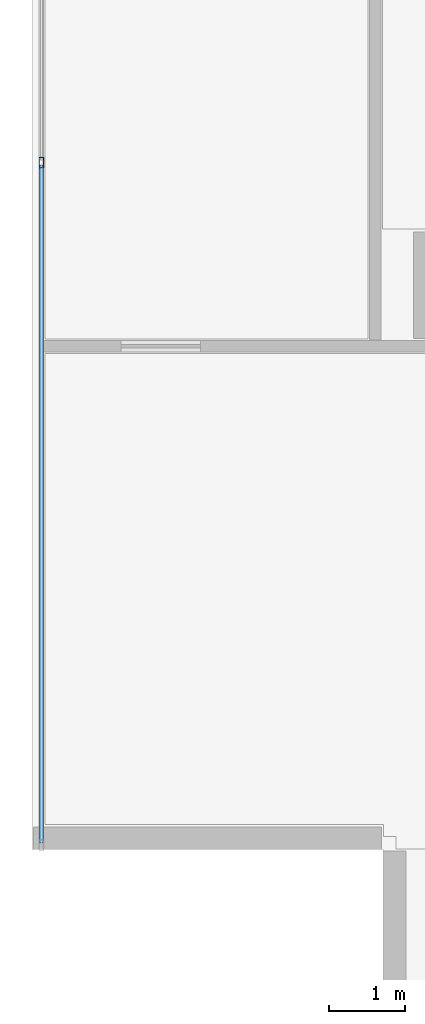
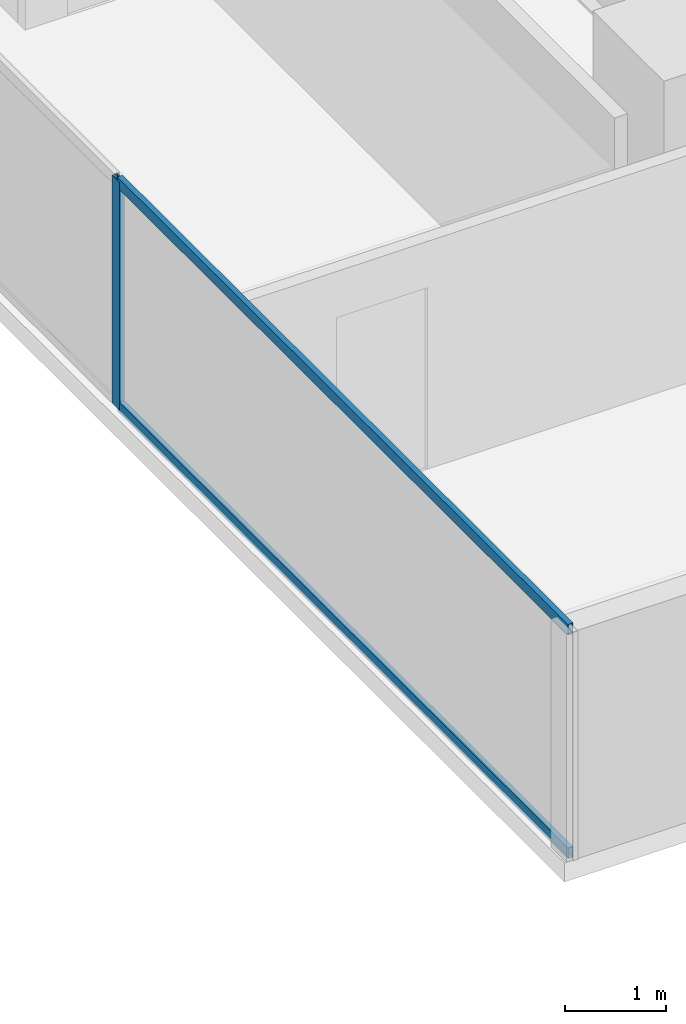
# One storey, part 4 of 26: 3 members, 1 element without a shape of its own.
"""IFC4 building model written with IfcOpenShell, lengths in metres."""

from ifc_helpers import new_model, si_unit, direction, frame, origin, origin_2d, place, context, subcontext, project, spatial, hollow_rectangle, extrude, source, transform, mapped, material, layer, layer_set, material_profile, profile_set, type_object, element, aggregate, save


model = new_model("IFC4")

# Units and contexts
model_context = context("Model", 3, precision=1e-05, world=origin(), true_north=direction((0.0, 1.0)))
body_context = subcontext(model_context, "Body", "Model", "MODEL_VIEW")
ifc_project = project(units=[si_unit("LENGTHUNIT", "METRE"), si_unit("AREAUNIT", "SQUARE_METRE"), si_unit("VOLUMEUNIT", "CUBIC_METRE"), si_unit("PLANEANGLEUNIT", "RADIAN"), si_unit("MASSUNIT", "GRAM", prefix="KILO")], contexts=[model_context])

# Site, building, storey
site_placement = place(None, origin())
site = spatial("IfcSite", under=ifc_project, at=site_placement, CompositionType="ELEMENT")
building_placement = place(site_placement, origin())
building = spatial("IfcBuilding", under=site, at=building_placement, Name="Sumidabori Civic Tower", CompositionType="ELEMENT")
storey_placement = place(building_placement, frame((0.0, 0.0, 250.39990234375)))
storey = spatial("IfcBuildingStorey", under=building, at=storey_placement, Name="L65", CompositionType="ELEMENT", Elevation=250.39990234375)

# Curtain wall, members
ifc_material = material(Name="Anodised Bronze Aluminium AW-6063-T6", Category="aluminium")
ifc_layer = layer(ifc_material, 0.179931640625, Name="Anodised Bronze Aluminium AW-6063-T6")
ifc_layer_set = layer_set([ifc_layer], Name="Anodised Bronze Aluminium AW-6063-T6")
curtain_wall_type = type_object("IfcCurtainWallType", Name="CW-SYS-5", PredefinedType="NOTDEFINED", material=ifc_layer_set)
curtain_wall_placement = place(storey_placement, origin())
curtain_wall = element("IfcCurtainWall", 1, at=curtain_wall_placement, inside=storey, type_object=curtain_wall_type, Name="Curtain Wall CW:L65:R10", PredefinedType="NOTDEFINED")
ifc_material_profile_1 = material_profile(ifc_material, hollow_rectangle(XDim=0.06005859375, YDim=0.139892578125, WallThickness=0.0048828125, at=origin_2d()), Name="ALU MULLION 140x60")
ifc_profile_set_1 = profile_set([ifc_material_profile_1], Name="Anodised Bronze Aluminium AW-6063-T6")
member_type_1 = type_object("IfcMemberType", Name="CW-MUL-140", PredefinedType="MULLION", material=ifc_profile_set_1)
shared_shape_1 = source(origin(), body_context, "Body", "SweptSolid", [
    extrude(hollow_rectangle(XDim=0.06005859375, YDim=0.139892578125, WallThickness=0.0048828125, at=origin_2d()), origin(), (0.0, 0.0, 1.0), 2.75),
])
member_1_placement = place(storey_placement, frame((-22.3798828125, 1.610107421875, 0.0), z_axis=(0.0, 0.0, 1.0), x_axis=(1.0, 0.0, 0.0)))
member_1 = element("IfcMember", 2, at=member_1_placement, type_object=member_type_1, Name="CW-5 mullion 3", PredefinedType="MULLION", context=body_context, shape_type="MappedRepresentation", body=[
    mapped(shared_shape_1, transform((0.0, 0.0, 0.0), x_axis=(1.0, 0.0, 0.0), y_axis=(0.0, 1.0, 0.0), z_axis=(0.0, 0.0, 1.0), scale=1.0)),
])
ifc_material_profile_2 = material_profile(ifc_material, hollow_rectangle(XDim=0.06005859375, YDim=0.1298828125, WallThickness=0.0048828125, at=origin_2d()), Name="ALU TRANSOM 130x60")
ifc_profile_set_2 = profile_set([ifc_material_profile_2], Name="Anodised Bronze Aluminium AW-6063-T6")
member_type_2 = type_object("IfcMemberType", Name="CW-TRN-130", PredefinedType="USERDEFINED", material=ifc_profile_set_2)
shared_shape_2 = source(origin(), body_context, "Body", "SweptSolid", [
    extrude(hollow_rectangle(XDim=0.06005859375, YDim=0.1298828125, WallThickness=0.0048828125, at=origin_2d()), origin(), (0.0, 0.0, 1.0), 8.89013671875),
])
member_2_placement = place(storey_placement, frame((-22.3798828125, 1.580078125, 0.030029296875), z_axis=(0.0, -1.0, 0.0), x_axis=(1.0, 0.0, 0.0)))
member_2 = element("IfcMember", 3, at=member_2_placement, type_object=member_type_2, Name="CW-5 transom 3.1", ObjectType="TRANSOM", PredefinedType="USERDEFINED", context=body_context, shape_type="MappedRepresentation", body=[
    mapped(shared_shape_2, transform((0.0, 0.0, 0.0), x_axis=(1.0, 0.0, 0.0), y_axis=(0.0, 1.0, 0.0), z_axis=(0.0, 0.0, 1.0), scale=1.0)),
])
member_3_placement = place(storey_placement, frame((-22.3798828125, 1.580078125, 2.72021484375), z_axis=(0.0, -1.0, 0.0), x_axis=(1.0, 0.0, 0.0)))
member_3 = element("IfcMember", 4, at=member_3_placement, type_object=member_type_2, Name="CW-5 transom 3.2", ObjectType="TRANSOM", PredefinedType="USERDEFINED", context=body_context, shape_type="MappedRepresentation", body=[
    mapped(shared_shape_2, transform((0.0, 0.0, 0.0), x_axis=(1.0, 0.0, 0.0), y_axis=(0.0, 1.0, 0.0), z_axis=(0.0, 0.0, 1.0), scale=1.0)),
])
aggregate(curtain_wall, [member_1, member_2, member_3])

save(model, "model.ifc")
